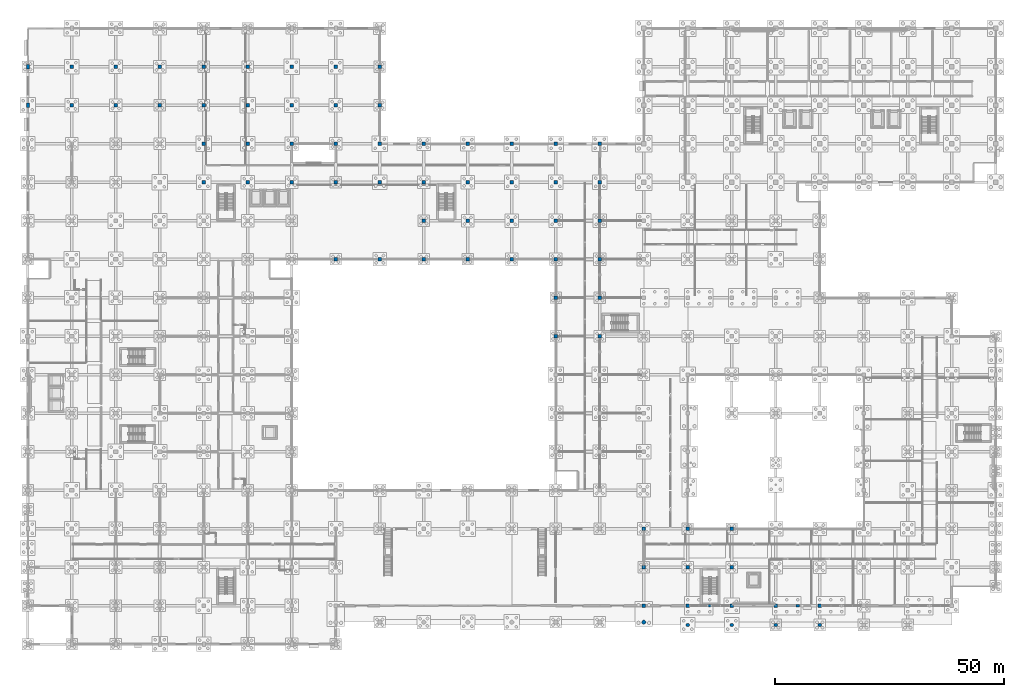
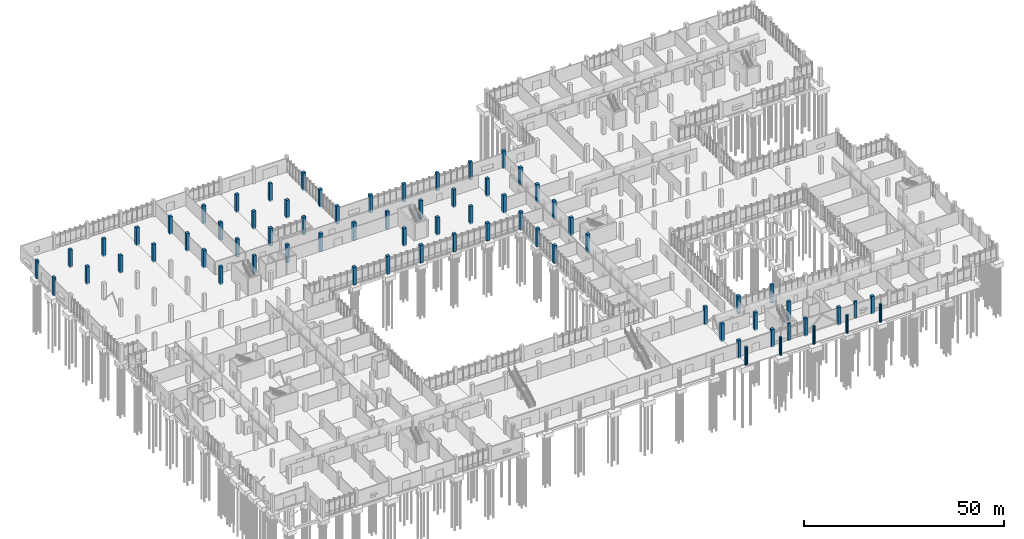
# One storey, part 21 of 136: 72 columns.
"""IFC4 building model written with IfcOpenShell, lengths in metres."""

from ifc_helpers import new_model, si_unit, direction, frame, origin, origin_2d, place, context, subcontext, project, spatial, rectangle, circle, extrude, material, material_profile, profile_set, type_object, element, save


model = new_model("IFC4")

# Units and contexts
model_context = context("Model", 3, precision=1e-05, world=origin(), true_north=direction((0.0, 1.0)))
body_context = subcontext(model_context, "Body", "Model", "MODEL_VIEW")
ifc_project = project(units=[si_unit("LENGTHUNIT", "METRE"), si_unit("AREAUNIT", "SQUARE_METRE"), si_unit("VOLUMEUNIT", "CUBIC_METRE"), si_unit("PLANEANGLEUNIT", "RADIAN"), si_unit("MASSUNIT", "GRAM", prefix="KILO")], contexts=[model_context])

# Site, building, storey
site_placement = place(None, origin())
site = spatial("IfcSite", under=ifc_project, at=site_placement, CompositionType="ELEMENT")
building_placement = place(site_placement, origin())
building = spatial("IfcBuilding", under=site, at=building_placement, Name="Oolite Switchyard Hospital", CompositionType="ELEMENT")
storey_placement = place(building_placement, origin())
storey = spatial("IfcBuildingStorey", under=building, at=storey_placement, Name="L00", CompositionType="ELEMENT", Elevation=0.0)

# Columns
ifc_material_1 = material(Name="Precast concrete C40/50", Category="concrete")
ifc_material_profile_1 = material_profile(ifc_material_1, circle(Radius=0.375, at=origin_2d()), Name="RCCOL750")
ifc_profile_set_1 = profile_set([ifc_material_profile_1], Name="Precast concrete C40/50")
column_type_1 = type_object("IfcColumnType", Name="COL-PORT750", PredefinedType="COLUMN", material=ifc_profile_set_1)
for number, where, z_axis, x_axis, name in (
    (1, (144.0, 4.199951171875, -0.35009765625), (0.0, 0.0, 1.0), (1.0, 0.0, 0.0), "L00 Column 202"),
    (2, (153.60009765625, 4.199951171875, -0.35009765625), (0.0, 0.0, 1.0), (1.0, 0.0, 0.0), "L00 Column 223"),
    (3, (163.199951171875, 4.199951171875, -0.35009765625), (0.0, 0.0, 1.0), (1.0, 0.0, 0.0), "L00 Column 238"),
    (4, (172.800048828125, 4.199951171875, -0.35009765625), (0.0, 0.0, 1.0), (1.0, 0.0, 0.0), "L00 Column 255"),
):
    element("IfcColumn", number, at=place(storey_placement, frame(where, z_axis=z_axis, x_axis=x_axis)), inside=storey, type_object=column_type_1, Name=name, PredefinedType="COLUMN", context=body_context, shape_type="SweptSolid", body=[
        extrude(circle(Radius=0.375, at=origin_2d()), origin(), (0.0, 0.0, 1.0), 5.4501953125),
    ])
ifc_material_profile_2 = material_profile(ifc_material_1, circle(Radius=0.449951171875, at=origin_2d()), Name="RCCOL900")
ifc_profile_set_2 = profile_set([ifc_material_profile_2], Name="Precast concrete C40/50")
column_type_2 = type_object("IfcColumnType", Name="COL-PORT900", PredefinedType="COLUMN", material=ifc_profile_set_2)
column_placement = place(storey_placement, frame((134.39990234375, 4.800048828125, -0.35009765625), z_axis=(0.0, 0.0, 1.0), x_axis=(1.0, 0.0, 0.0)))
element("IfcColumn", 5, at=column_placement, inside=storey, type_object=column_type_2, Name="L00 Column 185", PredefinedType="COLUMN", context=body_context, shape_type="SweptSolid", body=[
    extrude(circle(Radius=0.449951171875, at=origin_2d()), origin(), (0.0, 0.0, 1.0), 5.4501953125),
])
ifc_material_2 = material(Name="Concrete C50/60", Category="concrete")
ifc_material_profile_3 = material_profile(ifc_material_2, rectangle(XDim=0.85009765625, YDim=0.85009765625, at=origin_2d()), Name="RC850X850")
ifc_profile_set_3 = profile_set([ifc_material_profile_3], Name="Concrete C50/60")
column_type_3 = type_object("IfcColumnType", Name="COL-RC850", PredefinedType="COLUMN", material=ifc_profile_set_3)
for number, where, z_axis, x_axis, name in (
    (6, (9.60009765625, 117.60009765625, -0.35009765625), (0.0, 0.0, 1.0), (1.0, 0.0, 0.0), "L00 Column 31"),
    (7, (9.60009765625, 126.0, -0.35009765625), (0.0, 0.0, 1.0), (1.0, 0.0, 0.0), "L00 Column 32"),
    (8, (19.199951171875, 117.60009765625, -0.35009765625), (0.0, 0.0, 1.0), (1.0, 0.0, 0.0), "L00 Column 48"),
    (9, (19.199951171875, 126.0, -0.35009765625), (0.0, 0.0, 1.0), (1.0, 0.0, 0.0), "L00 Column 49"),
    (10, (28.800048828125, 117.60009765625, -0.35009765625), (0.0, 0.0, 1.0), (1.0, 0.0, 0.0), "L00 Column 65"),
    (11, (28.800048828125, 126.0, -0.35009765625), (0.0, 0.0, 1.0), (1.0, 0.0, 0.0), "L00 Column 66"),
    (12, (38.39990234375, 100.800048828125, -0.35009765625), (0.0, 0.0, 1.0), (1.0, 0.0, 0.0), "L00 Column 80"),
    (13, (38.39990234375, 109.199951171875, -0.35009765625), (0.0, 0.0, 1.0), (1.0, 0.0, 0.0), "L00 Column 81"),
    (14, (38.39990234375, 117.60009765625, -0.35009765625), (0.0, 0.0, 1.0), (1.0, 0.0, 0.0), "L00 Column 82"),
    (15, (38.39990234375, 126.0, -0.35009765625), (0.0, 0.0, 1.0), (1.0, 0.0, 0.0), "L00 Column 83"),
    (16, (48.0, 100.800048828125, -0.35009765625), (0.0, 0.0, 1.0), (1.0, 0.0, 0.0), "L00 Column 97"),
    (17, (48.0, 109.199951171875, -0.35009765625), (0.0, 0.0, 1.0), (1.0, 0.0, 0.0), "L00 Column 98"),
    (18, (48.0, 117.60009765625, -0.35009765625), (0.0, 0.0, 1.0), (1.0, 0.0, 0.0), "L00 Column 99"),
    (19, (48.0, 126.0, -0.35009765625), (0.0, 0.0, 1.0), (1.0, 0.0, 0.0), "L00 Column 100"),
    (20, (57.60009765625, 100.800048828125, -0.35009765625), (0.0, 0.0, 1.0), (1.0, 0.0, 0.0), "L00 Column 114"),
    (21, (57.60009765625, 109.199951171875, -0.35009765625), (0.0, 0.0, 1.0), (1.0, 0.0, 0.0), "L00 Column 115"),
    (22, (57.60009765625, 117.60009765625, -0.35009765625), (0.0, 0.0, 1.0), (1.0, 0.0, 0.0), "L00 Column 116"),
    (23, (57.60009765625, 126.0, -0.35009765625), (0.0, 0.0, 1.0), (1.0, 0.0, 0.0), "L00 Column 117"),
    (24, (67.199951171875, 84.0, -0.35009765625), (0.0, 0.0, 1.0), (1.0, 0.0, 0.0), "L00 Column 125"),
    (25, (67.199951171875, 100.800048828125, -0.35009765625), (0.0, 0.0, 1.0), (1.0, 0.0, 0.0), "L00 Column 126"),
    (26, (67.199951171875, 109.199951171875, -0.35009765625), (0.0, 0.0, 1.0), (1.0, 0.0, 0.0), "L00 Column 127"),
    (27, (67.199951171875, 117.60009765625, -0.35009765625), (0.0, 0.0, 1.0), (1.0, 0.0, 0.0), "L00 Column 128"),
    (28, (67.199951171875, 126.0, -0.35009765625), (0.0, 0.0, 1.0), (1.0, 0.0, 0.0), "L00 Column 129"),
    (29, (76.800048828125, 84.0, -0.35009765625), (0.0, 0.0, 1.0), (1.0, 0.0, 0.0), "L00 Column 134"),
    (30, (76.800048828125, 100.800048828125, -0.35009765625), (0.0, 0.0, 1.0), (1.0, 0.0, 0.0), "L00 Column 135"),
    (31, (76.800048828125, 109.199951171875, -0.35009765625), (0.0, 0.0, 1.0), (1.0, 0.0, 0.0), "L00 Column 136"),
    (32, (76.800048828125, 117.60009765625, -0.35009765625), (0.0, 0.0, 1.0), (1.0, 0.0, 0.0), "L00 Column 137"),
    (33, (76.800048828125, 126.0, -0.35009765625), (0.0, 0.0, 1.0), (1.0, 0.0, 0.0), "L00 Column 138"),
    (34, (86.39990234375, 84.0, -0.35009765625), (0.0, 0.0, 1.0), (1.0, 0.0, 0.0), "L00 Column 143"),
    (35, (86.39990234375, 92.39990234375, -0.35009765625), (0.0, 0.0, 1.0), (1.0, 0.0, 0.0), "L00 Column 144"),
    (36, (86.39990234375, 100.800048828125, -0.35009765625), (0.0, 0.0, 1.0), (1.0, 0.0, 0.0), "L00 Column 145"),
    (37, (86.39990234375, 109.199951171875, -0.35009765625), (0.0, 0.0, 1.0), (1.0, 0.0, 0.0), "L00 Column 146"),
    (38, (96.0, 84.0, -0.35009765625), (0.0, 0.0, 1.0), (1.0, 0.0, 0.0), "L00 Column 150"),
    (39, (96.0, 92.39990234375, -0.35009765625), (0.0, 0.0, 1.0), (1.0, 0.0, 0.0), "L00 Column 151"),
    (40, (96.0, 100.800048828125, -0.35009765625), (0.0, 0.0, 1.0), (1.0, 0.0, 0.0), "L00 Column 152"),
    (41, (96.0, 109.199951171875, -0.35009765625), (0.0, 0.0, 1.0), (1.0, 0.0, 0.0), "L00 Column 153"),
    (42, (105.60009765625, 84.0, -0.35009765625), (0.0, 0.0, 1.0), (1.0, 0.0, 0.0), "L00 Column 157"),
    (43, (105.60009765625, 92.39990234375, -0.35009765625), (0.0, 0.0, 1.0), (1.0, 0.0, 0.0), "L00 Column 158"),
    (44, (105.60009765625, 100.800048828125, -0.35009765625), (0.0, 0.0, 1.0), (1.0, 0.0, 0.0), "L00 Column 159"),
    (45, (105.60009765625, 109.199951171875, -0.35009765625), (0.0, 0.0, 1.0), (1.0, 0.0, 0.0), "L00 Column 160"),
    (46, (115.199951171875, 67.199951171875, -0.35009765625), (0.0, 0.0, 1.0), (1.0, 0.0, 0.0), "L00 Column 167"),
    (47, (115.199951171875, 75.60009765625, -0.35009765625), (0.0, 0.0, 1.0), (1.0, 0.0, 0.0), "L00 Column 168"),
    (48, (115.199951171875, 84.0, -0.35009765625), (0.0, 0.0, 1.0), (1.0, 0.0, 0.0), "L00 Column 169"),
    (49, (115.199951171875, 92.39990234375, -0.35009765625), (0.0, 0.0, 1.0), (1.0, 0.0, 0.0), "L00 Column 170"),
    (50, (115.199951171875, 100.800048828125, -0.35009765625), (0.0, 0.0, 1.0), (1.0, 0.0, 0.0), "L00 Column 171"),
    (51, (115.199951171875, 109.199951171875, -0.35009765625), (0.0, 0.0, 1.0), (1.0, 0.0, 0.0), "L00 Column 172"),
    (52, (124.800048828125, 67.199951171875, -0.35009765625), (0.0, 0.0, 1.0), (1.0, 0.0, 0.0), "L00 Column 179"),
    (53, (124.800048828125, 75.60009765625, -0.35009765625), (0.0, 0.0, 1.0), (1.0, 0.0, 0.0), "L00 Column 180"),
    (54, (124.800048828125, 84.0, -0.35009765625), (0.0, 0.0, 1.0), (1.0, 0.0, 0.0), "L00 Column 181"),
    (55, (124.800048828125, 92.39990234375, -0.35009765625), (0.0, 0.0, 1.0), (1.0, 0.0, 0.0), "L00 Column 182"),
    (56, (124.800048828125, 100.800048828125, -0.35009765625), (0.0, 0.0, 1.0), (1.0, 0.0, 0.0), "L00 Column 183"),
    (57, (124.800048828125, 109.199951171875, -0.35009765625), (0.0, 0.0, 1.0), (1.0, 0.0, 0.0), "L00 Column 184"),
    (58, (134.39990234375, 8.39990234375, -0.35009765625), (0.0, 0.0, 1.0), (1.0, 0.0, 0.0), "L00 Column 186"),
    (59, (134.39990234375, 16.800048828125, -0.35009765625), (0.0, 0.0, 1.0), (1.0, 0.0, 0.0), "L00 Column 187"),
    (60, (134.39990234375, 25.199951171875, -0.35009765625), (0.0, 0.0, 1.0), (1.0, 0.0, 0.0), "L00 Column 188"),
    (61, (144.0, 8.39990234375, -0.35009765625), (0.0, 0.0, 1.0), (1.0, 0.0, 0.0), "L00 Column 203"),
    (62, (144.0, 16.800048828125, -0.35009765625), (0.0, 0.0, 1.0), (1.0, 0.0, 0.0), "L00 Column 204"),
    (63, (144.0, 25.199951171875, -0.35009765625), (0.0, 0.0, 1.0), (1.0, 0.0, 0.0), "L00 Column 205"),
    (64, (153.60009765625, 8.39990234375, -0.35009765625), (0.0, 0.0, 1.0), (1.0, 0.0, 0.0), "L00 Column 224"),
    (65, (153.60009765625, 16.800048828125, -0.35009765625), (0.0, 0.0, 1.0), (1.0, 0.0, 0.0), "L00 Column 225"),
    (66, (153.60009765625, 25.199951171875, -0.35009765625), (0.0, 0.0, 1.0), (1.0, 0.0, 0.0), "L00 Column 226"),
    (67, (163.199951171875, 8.39990234375, -0.35009765625), (0.0, 0.0, 1.0), (1.0, 0.0, 0.0), "L00 Column 239"),
    (68, (172.800048828125, 8.39990234375, -0.35009765625), (0.0, 0.0, 1.0), (1.0, 0.0, 0.0), "L00 Column 256"),
):
    element("IfcColumn", number, at=place(storey_placement, frame(where, z_axis=z_axis, x_axis=x_axis)), inside=storey, type_object=column_type_3, Name=name, PredefinedType="COLUMN", context=body_context, shape_type="SweptSolid", body=[
        extrude(rectangle(XDim=0.85009765625, YDim=0.85009765625, at=origin_2d()), origin(), (0.0, 0.0, 1.0), 5.4501953125),
    ])
ifc_material_profile_4 = material_profile(ifc_material_2, rectangle(XDim=0.949951171875, YDim=0.64990234375, at=origin_2d()), Name="RC950X650")
ifc_profile_set_4 = profile_set([ifc_material_profile_4], Name="Concrete C50/60")
column_type_4 = type_object("IfcColumnType", Name="COL-RCR950", PredefinedType="COLUMN", material=ifc_profile_set_4)
for number, where, z_axis, x_axis, name in (
    (69, (0.0, 117.60009765625, -0.35009765625), (0.0, 0.0, 1.0), (0.0, 1.0, 0.0), "L00 Column 15"),
    (70, (0.0, 126.0, -0.35009765625), (0.0, 0.0, 1.0), (0.0, 1.0, 0.0), "L00 Column 16"),
):
    element("IfcColumn", number, at=place(storey_placement, frame(where, z_axis=z_axis, x_axis=x_axis)), inside=storey, type_object=column_type_4, Name=name, PredefinedType="COLUMN", context=body_context, shape_type="SweptSolid", body=[
        extrude(rectangle(XDim=0.949951171875, YDim=0.64990234375, at=origin_2d()), origin(), (0.0, 0.0, 1.0), 5.4501953125),
    ])
ifc_material_profile_5 = material_profile(ifc_material_1, rectangle(XDim=0.75, YDim=0.5, at=origin_2d()), Name="PIL750X500")
ifc_profile_set_5 = profile_set([ifc_material_profile_5], Name="Precast concrete C40/50")
column_type_5 = type_object("IfcColumnType", Name="PIL-750X500", PredefinedType="PILASTER", material=ifc_profile_set_5)
for number, where, z_axis, x_axis, name in (
    (71, (148.800048828125, 8.39990234375, 0.0), (0.0, 0.0, 1.0), (1.0, 0.0, 0.0), "L00 Classical Pilaster 1"),
    (72, (168.0, 8.39990234375, 0.0), (0.0, 0.0, 1.0), (1.0, 0.0, 0.0), "L00 Classical Pilaster 2"),
):
    element("IfcColumn", number, at=place(storey_placement, frame(where, z_axis=z_axis, x_axis=x_axis)), inside=storey, type_object=column_type_5, Name=name, PredefinedType="PILASTER", context=body_context, shape_type="SweptSolid", body=[
        extrude(rectangle(XDim=0.75, YDim=0.5, at=origin_2d()), origin(), (0.0, 0.0, 1.0), 5.10009765625),
    ])

save(model, "model.ifc")
